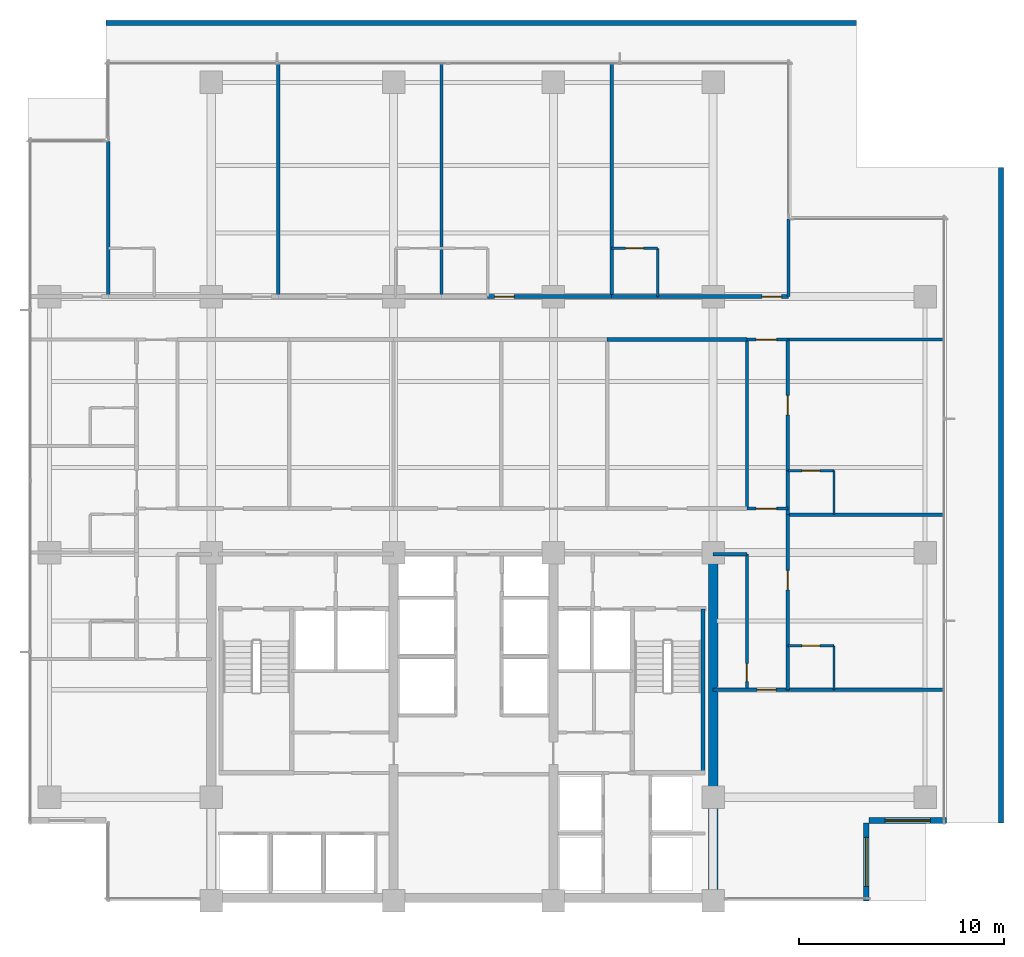
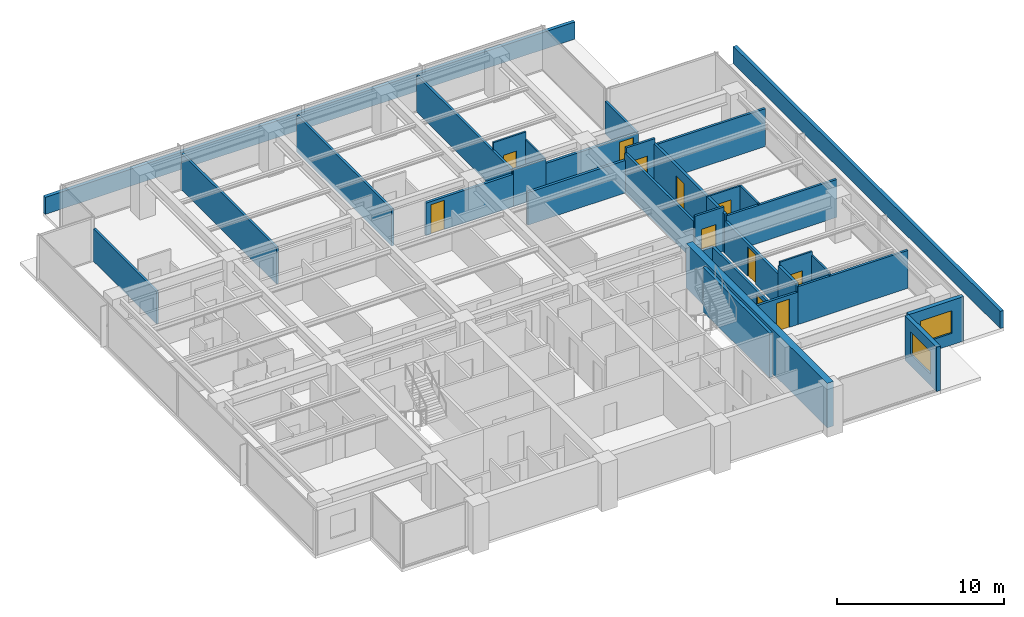
# One storey, part 10 of 16: 34 walls, 11 doors, 2 windows, 13 openings.
"""IFC4 building model written with IfcOpenShell, lengths in metres."""

import ifcopenshell
import ifcopenshell.guid

model = None  # the IFC model being written
_history = None  # IfcOwnerHistory: only IFC2X3 demands one
_inside = {}  # id of a spatial element -> (the spatial element, [elements in it])
_under = {}  # id of a project, library or spatial element -> (it, [spatial elements below it])
_declared = {}  # id of a project -> (the project, [libraries it declares])
_typed = {}  # id of a type object -> (the type object, [elements of that type])
_made_of = {}  # id of a material, layer set ... -> (it, [elements and type objects made of it])


def new_model(schema):
    """Start an empty IFC model of exactly this schema.

    Asked for "IFC4X3", IfcOpenShell would pick the latest addendum, in which some entities
    have other attributes; the version numbers below select the first issue.
    IFC2X3 requires an IfcOwnerHistory on every rooted entity: one is made here for all.
    """
    global model, _history
    if schema == "IFC4X3":
        model = ifcopenshell.file(schema_version=(4, 3, 0, 0))
    else:
        model = ifcopenshell.file(schema=schema)
    _inside.clear()
    _under.clear()
    _declared.clear()
    _typed.clear()
    _made_of.clear()
    _history = None
    if model.schema == "IFC2X3":
        org = make("IfcOrganization", Name="unknown")
        user = make(
            "IfcPersonAndOrganization",
            ThePerson=make("IfcPerson", FamilyName="unknown"),
            TheOrganization=org,
        )
        app = make(
            "IfcApplication",
            ApplicationDeveloper=org,
            Version="unknown",
            ApplicationFullName="unknown",
            ApplicationIdentifier="unknown",
        )
        _history = make(
            "IfcOwnerHistory",
            OwningUser=user,
            OwningApplication=app,
            ChangeAction="ADDED",
            CreationDate=0,
        )
    return model


def make(cls, **values):
    """One entity of the class cls with the attributes given. An attribute that is None is left unset."""
    return model.create_entity(
        cls, **{name: value for name, value in values.items() if value is not None}
    )


def rooted(cls, **values):
    """An entity with a GlobalId (a new one), such as an element, a storey or a relation."""
    return make(cls, GlobalId=ifcopenshell.guid.new(), OwnerHistory=_history, **values)


def si_unit(unit_type, name, prefix=None):
    """IfcSIUnit, for example si_unit("LENGTHUNIT", "METRE", prefix="MILLI")."""
    return make("IfcSIUnit", UnitType=unit_type, Prefix=prefix, Name=name)


def assignment(units):
    """IfcUnitAssignment: the units of a project."""
    return None if units is None else make("IfcUnitAssignment", Units=units)


def point(xyz):
    """IfcCartesianPoint."""
    return None if xyz is None else make("IfcCartesianPoint", Coordinates=xyz)


def direction(xyz):
    """IfcDirection."""
    return None if xyz is None else make("IfcDirection", DirectionRatios=xyz)


def frame(location, z_axis=None, x_axis=None):
    """IfcAxis2Placement3D, a coordinate frame: its origin and axes. An axis left out is left unset."""
    return make(
        "IfcAxis2Placement3D",
        Location=point(location),
        Axis=direction(z_axis),
        RefDirection=direction(x_axis),
    )


def frame_2d(location, x_axis=None):
    """IfcAxis2Placement2D, a coordinate frame in the plane: its origin and x axis."""
    return make(
        "IfcAxis2Placement2D", Location=point(location), RefDirection=direction(x_axis)
    )


def origin():
    """The frame at (0, 0, 0) with its axes left unset."""
    return frame((0.0, 0.0, 0.0))


def place(relative_to, where):
    """IfcLocalPlacement: puts the frame where relative to a parent placement (None: the world)."""
    return make(
        "IfcLocalPlacement", PlacementRelTo=relative_to, RelativePlacement=where
    )


def context(
    kind, dimensions, precision=None, world=None, true_north=None, identifier=None
):
    """IfcGeometricRepresentationContext, for example the 3D "Model" context."""
    return make(
        "IfcGeometricRepresentationContext",
        ContextIdentifier=identifier,
        ContextType=kind,
        CoordinateSpaceDimension=dimensions,
        Precision=precision,
        WorldCoordinateSystem=world,
        TrueNorth=true_north,
    )


def subcontext(parent, identifier, kind, view, scale=None):
    """IfcGeometricRepresentationSubContext, for example "Body" below "Model"."""
    return make(
        "IfcGeometricRepresentationSubContext",
        ContextIdentifier=identifier,
        ContextType=kind,
        ParentContext=parent,
        TargetScale=scale,
        TargetView=view,
    )


def project(units=None, contexts=None):
    """IfcProject with its units and contexts."""
    return rooted(
        "IfcProject",
        Name="project",
        RepresentationContexts=contexts,
        UnitsInContext=assignment(units),
    )


def spatial(cls, under=None, at=None, **own):
    """A site, building, storey or space (cls), placed at a placement, below another one or the project."""
    s = rooted(cls, ObjectPlacement=at, **own)
    if under is not None:
        _under.setdefault(under.id(), (under, []))[1].append(s)
    return s


def profile(cls, at=None, kind="AREA", **sizes):
    """A parametric profile (cls). Its sizes go by their IFC names, for example OverallWidth=200.0."""
    return make(cls, ProfileType=kind, Position=at, **sizes)


def rectangle(**sizes):
    """IfcRectangleProfileDef."""
    return profile("IfcRectangleProfileDef", **sizes)


def extrude(swept, where, along, depth):
    """IfcExtrudedAreaSolid: the profile swept, set in the frame where, extruded along a direction by depth."""
    return make(
        "IfcExtrudedAreaSolid",
        SweptArea=swept,
        Position=where,
        ExtrudedDirection=direction(along),
        Depth=depth,
    )


def shape(context_of_items, identifier, shape_type, items):
    """IfcShapeRepresentation: the items that make up one representation, for example the "Body"."""
    return make(
        "IfcShapeRepresentation",
        ContextOfItems=context_of_items,
        RepresentationIdentifier=identifier,
        RepresentationType=shape_type,
        Items=items,
    )


def material(Name=None, Category=None):
    """IfcMaterial."""
    return make("IfcMaterial", Name=Name, Category=Category)


def layer(
    of_material, thickness, ventilated=None, Name=None, Category=None, Priority=None
):
    """IfcMaterialLayer: one layer of a wall or slab, of a material (None: an air gap)."""
    return make(
        "IfcMaterialLayer",
        Material=of_material,
        LayerThickness=thickness,
        IsVentilated=ventilated,
        Name=Name,
        Category=Category,
        Priority=Priority,
    )


def layer_set(layers, Name=None):
    """IfcMaterialLayerSet."""
    return make("IfcMaterialLayerSet", MaterialLayers=layers, LayerSetName=Name)


def made_of(thing, what):
    """Note that an element or type object is made of a material, layer set ...; save() writes the relation."""
    if what is not None:
        _made_of.setdefault(what.id(), (what, []))[1].append(thing)
    return thing


def type_object(cls, material=None, **own):
    """A type object (cls), such as IfcWallType, which elements share."""
    return made_of(rooted(cls, **own), material)


def element(
    cls,
    number,
    at=None,
    inside=None,
    cuts=None,
    type_object=None,
    material=None,
    context=None,
    identifier="Body",
    shape_type=None,
    held_by="IfcProductDefinitionShape",
    body=None,
    shapes=None,
    **own,
):
    """One element of the class cls, such as IfcWall. Its Tag is "e" and its number.

    at: its placement. inside: the storey or other place that contains it. cuts: it is an
    opening in that element (IfcRelVoidsElement). A single representation is given by context,
    identifier, shape_type and body (its items); several are given by shapes. held_by: the class
    of the entity that holds the representations. save() writes the other relations.
    """
    e = rooted(cls, Tag="e%d" % number, ObjectPlacement=at, **own)
    if body is not None:
        shapes = [shape(context, identifier, shape_type, body)]
    if shapes is not None:
        e.Representation = make(held_by, Representations=shapes)
    if inside is not None:
        _inside.setdefault(inside.id(), (inside, []))[1].append(e)
    if cuts is not None:
        rooted(
            "IfcRelVoidsElement", RelatingBuildingElement=cuts, RelatedOpeningElement=e
        )
    if type_object is not None:
        _typed.setdefault(type_object.id(), (type_object, []))[1].append(e)
    return made_of(e, material)


def fill(opening, filler):
    """IfcRelFillsElement: the door or window that sits in an opening."""
    return rooted(
        "IfcRelFillsElement",
        RelatingOpeningElement=opening,
        RelatedBuildingElement=filler,
    )


def aggregate(whole, parts):
    """IfcRelAggregates: a whole, such as a stair, and the parts it consists of."""
    return rooted("IfcRelAggregates", RelatingObject=whole, RelatedObjects=parts)


def save(model, path):
    """Write the relations noted so far, then the file.

    IfcRelAggregates (storeys below a building ...), IfcRelContainedInSpatialStructure (elements
    in a storey), IfcRelDefinesByType, IfcRelAssociatesMaterial and IfcRelDeclares: one each for
    every whole, place, type object, material and project.
    """
    for whole, parts in _under.values():
        aggregate(whole, parts)
    for where, things in _inside.values():
        rooted(
            "IfcRelContainedInSpatialStructure",
            RelatedElements=things,
            RelatingStructure=where,
        )
    for kind, things in _typed.values():
        rooted("IfcRelDefinesByType", RelatedObjects=things, RelatingType=kind)
    for what, things in _made_of.values():
        rooted("IfcRelAssociatesMaterial", RelatedObjects=things, RelatingMaterial=what)
    for by, libraries in _declared.values():
        rooted("IfcRelDeclares", RelatingContext=by, RelatedDefinitions=libraries)
    model.write(path)


model = new_model("IFC4")

# Units and contexts
model_context = context("Model", 3, precision=1e-05, world=origin(), true_north=direction((0.0, 1.0)))
body_context = subcontext(model_context, "Body", "Model", "MODEL_VIEW")
ifc_project = project(units=[si_unit("LENGTHUNIT", "METRE"), si_unit("AREAUNIT", "SQUARE_METRE"), si_unit("VOLUMEUNIT", "CUBIC_METRE"), si_unit("PLANEANGLEUNIT", "RADIAN"), si_unit("MASSUNIT", "GRAM", prefix="KILO")], contexts=[model_context])

# Site, building, storey
site_placement = place(None, origin())
site = spatial("IfcSite", under=ifc_project, at=site_placement, CompositionType="ELEMENT")
building_placement = place(site_placement, origin())
building = spatial("IfcBuilding", under=site, at=building_placement, Name="Qalmaran Belvedere Hotel", CompositionType="ELEMENT")
storey_placement = place(building_placement, frame((0.0, 0.0, 138.60009765625)))
storey = spatial("IfcBuildingStorey", under=building, at=storey_placement, Name="L34", CompositionType="ELEMENT", Elevation=138.60009765625)

# Wall
ifc_material_1 = material(Name="Concrete C50/60", Category="concrete")
ifc_layer_1 = layer(ifc_material_1, 0.449951171875, Name="Concrete C50/60")
ifc_layer_set_1 = layer_set([ifc_layer_1], Name="Concrete C50/60")
wall_type_1 = type_object("IfcWallType", Name="WL-CORE-450-C50", PredefinedType="SHEAR", material=ifc_layer_set_1)
wall_1_placement = place(storey_placement, frame((44.800048828125, 3.5, 0.0), z_axis=(0.0, 0.0, 1.0), x_axis=(0.0, 1.0, 0.0)))
element("IfcWall", 1, at=wall_1_placement, inside=storey, type_object=wall_type_1, Name="L34 East Core Shear Wall", PredefinedType="SHEAR", context=body_context, shape_type="SweptSolid", body=[
    extrude(rectangle(XDim=16.89990234375, YDim=0.449951171875, at=frame_2d((8.449951171875, 0.0))), origin(), (0.0, 0.0, 1.0), 3.25),
])

# Wall, opening, window
ifc_material_2 = material(Name="Anodised Bronze Cladding")
ifc_layer_2 = layer(ifc_material_2, 0.280029296875, Name="Anodised Bronze Cladding")
ifc_layer_set_2 = layer_set([ifc_layer_2], Name="Anodised Bronze Cladding")
wall_type_2 = type_object("IfcWallType", Name="WL-EXT-BRNZ-280", PredefinedType="SOLIDWALL", material=ifc_layer_set_2)
wall_2_placement = place(storey_placement, frame((52.280029296875, 3.5, 0.0), z_axis=(0.0, 0.0, 1.0), x_axis=(0.0, 1.0, 0.0)))
wall_2 = element("IfcWall", 2, at=wall_2_placement, inside=storey, type_object=wall_type_2, Name="L34 Corner Notch Wall 1", PredefinedType="SOLIDWALL", context=body_context, shape_type="SweptSolid", body=[
    extrude(rectangle(XDim=3.800048828125, YDim=0.280029296875, at=frame_2d((1.89990234375, 0.0))), origin(), (0.0, 0.0, 1.0), 3.25),
])
opening_1_placement = place(wall_2_placement, frame((0.699951171875, 0.0, 0.85009765625)))
opening_1 = element("IfcOpeningElement", 3, at=opening_1_placement, cuts=wall_2, Name="Opening W-N24", PredefinedType="OPENING", context=body_context, shape_type="SweptSolid", body=[
    extrude(rectangle(XDim=2.39990234375, YDim=1.64990234375, at=frame_2d((1.199951171875, 0.824951171875))), frame((0.0, 0.14990234375, 0.0), z_axis=(0.0, -1.0, 0.0), x_axis=(1.0, 0.0, 0.0)), (0.0, 0.0, 1.0), 0.300048828125),
])
ifc_material_3 = material(Name="Solar-Control Double Glazing", Category="glass")
window_type_1 = type_object("IfcWindowType", Name="WN-NTC-2400X1650", PartitioningType="SINGLE_PANEL", PredefinedType="WINDOW", material=ifc_material_3)
window_1_placement = place(opening_1_placement, origin())
window_1 = element("IfcWindow", 4, at=window_1_placement, inside=storey, type_object=window_type_1, Name="L34 Corner Notch Window 1", OverallHeight=1.64990234375, OverallWidth=2.39990234375, PartitioningType="SINGLE_PANEL", PredefinedType="WINDOW", context=body_context, shape_type="SweptSolid", body=[
    extrude(rectangle(XDim=2.39990234375, YDim=1.64990234375, at=frame_2d((1.199951171875, 0.824951171875))), frame((0.0, 0.030029296875, 0.0), z_axis=(0.0, -1.0, 0.0), x_axis=(1.0, 0.0, 0.0)), (0.0, 0.0, 1.0), 0.06005859375),
])
fill(opening_1, window_1)

wall_3_placement = place(storey_placement, frame((52.39990234375, 7.419921875, 0.0), z_axis=(0.0, 0.0, 1.0), x_axis=(1.0, 0.0, 0.0)))
wall_3 = element("IfcWall", 5, at=wall_3_placement, inside=storey, type_object=wall_type_2, Name="L34 Corner Notch Wall 2", PredefinedType="SOLIDWALL", context=body_context, shape_type="SweptSolid", body=[
    extrude(rectangle(XDim=3.800048828125, YDim=0.280029296875, at=frame_2d((1.89990234375, 0.0))), origin(), (0.0, 0.0, 1.0), 3.25),
])
opening_2_placement = place(wall_3_placement, frame((0.800048828125, 0.0, 0.85009765625)))
opening_2 = element("IfcOpeningElement", 6, at=opening_2_placement, cuts=wall_3, Name="Opening W-N22", PredefinedType="OPENING", context=body_context, shape_type="SweptSolid", body=[
    extrude(rectangle(XDim=2.199951171875, YDim=1.64990234375, at=frame_2d((1.10009765625, 0.824951171875))), frame((0.0, 0.14990234375, 0.0), z_axis=(0.0, -1.0, 0.0), x_axis=(1.0, 0.0, 0.0)), (0.0, 0.0, 1.0), 0.300048828125),
])
window_type_2 = type_object("IfcWindowType", Name="WN-NTC-2200X1650", PartitioningType="SINGLE_PANEL", PredefinedType="WINDOW", material=ifc_material_3)
window_2_placement = place(opening_2_placement, origin())
window_2 = element("IfcWindow", 7, at=window_2_placement, inside=storey, type_object=window_type_2, Name="L34 Corner Notch Window 2", OverallHeight=1.64990234375, OverallWidth=2.199951171875, PartitioningType="SINGLE_PANEL", PredefinedType="WINDOW", context=body_context, shape_type="SweptSolid", body=[
    extrude(rectangle(XDim=2.199951171875, YDim=1.64990234375, at=frame_2d((1.10009765625, 0.824951171875))), frame((0.0, 0.030029296875, 0.0), z_axis=(0.0, -1.0, 0.0), x_axis=(1.0, 0.0, 0.0)), (0.0, 0.0, 1.0), 0.06005859375),
])
fill(opening_2, window_2)

# Wall, opening, door
ifc_material_4 = material(Name="Moisture-Resistant Gypsum")
ifc_layer_3 = layer(ifc_material_4, 0.1201171875, Name="Moisture-Resistant Gypsum")
ifc_layer_set_3 = layer_set([ifc_layer_3], Name="Moisture-Resistant Gypsum")
wall_type_3 = type_object("IfcWallType", Name="WL-INT-120-BATH", PredefinedType="PARTITIONING", material=ifc_layer_set_3)
wall_4_placement = place(storey_placement, frame((39.845458984375, 35.35009765625, 0.0), z_axis=(0.0, 0.0, 1.0), x_axis=(1.0, 0.0, 0.0)))
wall_4 = element("IfcWall", 8, at=wall_4_placement, inside=storey, type_object=wall_type_3, Name="L34 Partition WL-L34-NBN03", PredefinedType="PARTITIONING", context=body_context, shape_type="SweptSolid", body=[
    extrude(rectangle(XDim=2.25, YDim=0.1201171875, at=frame_2d((1.125, 0.0))), origin(), (0.0, 0.0, 1.0), 3.25),
])
opening_3_placement = place(wall_4_placement, frame((1.56494140625, 0.0, 0.0), z_axis=(0.0, 0.0, 1.0), x_axis=(-1.0, 0.0, 0.0)))
opening_3 = element("IfcOpeningElement", 9, at=opening_3_placement, cuts=wall_4, Name="Opening D-BATH", PredefinedType="OPENING", context=body_context, shape_type="SweptSolid", body=[
    extrude(rectangle(XDim=0.8798828125, YDim=2.080078125, at=frame_2d((0.43994140625, 1.0400390625))), frame((0.0, 0.070068359375, 0.0), z_axis=(0.0, -1.0, 0.0), x_axis=(1.0, 0.0, 0.0)), (0.0, 0.0, 1.0), 0.14013671875),
])
ifc_material_5 = material(Name="Engineered Oak Veneer")
door_type_1 = type_object("IfcDoorType", Name="DR-INT-BATH-880X2080", OperationType="NOTDEFINED", PredefinedType="DOOR", material=ifc_material_5)
door_1_placement = place(opening_3_placement, origin())
door_1 = element("IfcDoor", 10, at=door_1_placement, inside=storey, type_object=door_type_1, Name="L34 Ensuite Bathroom Door N04", OperationType="SINGLE_SWING_RIGHT", OverallHeight=2.080078125, OverallWidth=0.8798828125, PredefinedType="DOOR", context=body_context, shape_type="SweptSolid", body=[
    extrude(rectangle(XDim=0.8798828125, YDim=2.080078125, at=frame_2d((0.43994140625, 1.0400390625))), frame((0.0, 0.02490234375, 0.0), z_axis=(0.0, -1.0, 0.0), x_axis=(1.0, 0.0, 0.0)), (0.0, 0.0, 1.0), 0.050048828125),
])
fill(opening_3, door_1)

# Wall
wall_5_placement = place(storey_placement, frame((42.095458984375, 33.0, 0.0), z_axis=(0.0, 0.0, 1.0), x_axis=(0.0, 1.0, 0.0)))
element("IfcWall", 11, at=wall_5_placement, inside=storey, type_object=wall_type_3, Name="L34 Partition WL-L34-NBS03", PredefinedType="PARTITIONING", context=body_context, shape_type="SweptSolid", body=[
    extrude(rectangle(XDim=2.35009765625, YDim=0.1201171875, at=frame_2d((1.175048828125, 0.0))), origin(), (0.0, 0.0, 1.0), 2.69189453125),
])

# Wall, opening, door
wall_6_placement = place(storey_placement, frame((48.449951171875, 15.949951171875, 0.0), z_axis=(0.0, 0.0, 1.0), x_axis=(1.0, 0.0, 0.0)))
wall_6 = element("IfcWall", 12, at=wall_6_placement, inside=storey, type_object=wall_type_3, Name="L34 Partition WL-L34-EBN00", PredefinedType="PARTITIONING", context=body_context, shape_type="SweptSolid", body=[
    extrude(rectangle(XDim=2.25, YDim=0.1201171875, at=frame_2d((1.125, 0.0))), origin(), (0.0, 0.0, 1.0), 3.25),
])
opening_4_placement = place(wall_6_placement, frame((1.56494140625, 0.0, 0.0), z_axis=(0.0, 0.0, 1.0), x_axis=(-1.0, 0.0, 0.0)))
opening_4 = element("IfcOpeningElement", 13, at=opening_4_placement, cuts=wall_6, Name="Opening D-BATH", PredefinedType="OPENING", context=body_context, shape_type="SweptSolid", body=[
    extrude(rectangle(XDim=0.8798828125, YDim=2.080078125, at=frame_2d((0.43994140625, 1.0400390625))), frame((0.0, 0.070068359375, 0.0), z_axis=(0.0, -1.0, 0.0), x_axis=(1.0, 0.0, 0.0)), (0.0, 0.0, 1.0), 0.14013671875),
])
door_2_placement = place(opening_4_placement, origin())
door_2 = element("IfcDoor", 14, at=door_2_placement, inside=storey, type_object=door_type_1, Name="L34 E Ensuite Door 01", OperationType="SINGLE_SWING_RIGHT", OverallHeight=2.080078125, OverallWidth=0.8798828125, PredefinedType="DOOR", context=body_context, shape_type="SweptSolid", body=[
    extrude(rectangle(XDim=0.8798828125, YDim=2.080078125, at=frame_2d((0.43994140625, 1.0400390625))), frame((0.0, 0.02490234375, 0.0), z_axis=(0.0, -1.0, 0.0), x_axis=(1.0, 0.0, 0.0)), (0.0, 0.0, 1.0), 0.050048828125),
])
fill(opening_4, door_2)

# Wall
wall_7_placement = place(storey_placement, frame((50.699951171875, 13.800048828125, 0.0), z_axis=(0.0, 0.0, 1.0), x_axis=(0.0, 1.0, 0.0)))
element("IfcWall", 15, at=wall_7_placement, inside=storey, type_object=wall_type_3, Name="L34 Partition WL-L34-EBS00", PredefinedType="PARTITIONING", context=body_context, shape_type="SweptSolid", body=[
    extrude(rectangle(XDim=2.14990234375, YDim=0.1201171875, at=frame_2d((1.074951171875, 0.0))), origin(), (0.0, 0.0, 1.0), 2.98779296875),
])

# Wall, opening, door
wall_8_placement = place(storey_placement, frame((48.449951171875, 24.5, 0.0), z_axis=(0.0, 0.0, 1.0), x_axis=(1.0, 0.0, 0.0)))
wall_8 = element("IfcWall", 16, at=wall_8_placement, inside=storey, type_object=wall_type_3, Name="L34 Partition WL-L34-EBN01", PredefinedType="PARTITIONING", context=body_context, shape_type="SweptSolid", body=[
    extrude(rectangle(XDim=2.25, YDim=0.1201171875, at=frame_2d((1.125, 0.0))), origin(), (0.0, 0.0, 1.0), 2.880859375),
])
opening_5_placement = place(wall_8_placement, frame((1.56494140625, 0.0, 0.0), z_axis=(0.0, 0.0, 1.0), x_axis=(-1.0, 0.0, 0.0)))
opening_5 = element("IfcOpeningElement", 17, at=opening_5_placement, cuts=wall_8, Name="Opening D-BATH", PredefinedType="OPENING", context=body_context, shape_type="SweptSolid", body=[
    extrude(rectangle(XDim=0.8798828125, YDim=2.080078125, at=frame_2d((0.43994140625, 1.0400390625))), frame((0.0, 0.070068359375, 0.0), z_axis=(0.0, -1.0, 0.0), x_axis=(1.0, 0.0, 0.0)), (0.0, 0.0, 1.0), 0.14013671875),
])
door_3_placement = place(opening_5_placement, origin())
door_3 = element("IfcDoor", 18, at=door_3_placement, inside=storey, type_object=door_type_1, Name="L34 E Ensuite Door 02", OperationType="SINGLE_SWING_RIGHT", OverallHeight=2.080078125, OverallWidth=0.8798828125, PredefinedType="DOOR", context=body_context, shape_type="SweptSolid", body=[
    extrude(rectangle(XDim=0.8798828125, YDim=2.080078125, at=frame_2d((0.43994140625, 1.0400390625))), frame((0.0, 0.02490234375, 0.0), z_axis=(0.0, -1.0, 0.0), x_axis=(1.0, 0.0, 0.0)), (0.0, 0.0, 1.0), 0.050048828125),
])
fill(opening_5, door_3)

# Wall
wall_9_placement = place(storey_placement, frame((50.699951171875, 22.35009765625, 0.0), z_axis=(0.0, 0.0, 1.0), x_axis=(0.0, 1.0, 0.0)))
element("IfcWall", 19, at=wall_9_placement, inside=storey, type_object=wall_type_3, Name="L34 Partition WL-L34-EBS01", PredefinedType="PARTITIONING", context=body_context, shape_type="SweptSolid", body=[
    extrude(rectangle(XDim=2.14990234375, YDim=0.1201171875, at=frame_2d((1.074951171875, 0.0))), origin(), (0.0, 0.0, 1.0), 2.880859375),
])

# Wall, opening, door
ifc_material_6 = material(Name="Gypsum Stud Partition")
ifc_layer_4 = layer(ifc_material_6, 0.14990234375, Name="Gypsum Stud Partition")
ifc_layer_set_4 = layer_set([ifc_layer_4], Name="Gypsum Stud Partition")
wall_type_4 = type_object("IfcWallType", Name="WL-INT-150-EI60", PredefinedType="PARTITIONING", material=ifc_layer_set_4)
wall_10_placement = place(storey_placement, frame((46.449951171875, 22.64990234375, 0.0), z_axis=(0.0, 0.0, 1.0), x_axis=(1.0, 0.0, 0.0)))
wall_10 = element("IfcWall", 20, at=wall_10_placement, inside=storey, type_object=wall_type_4, Name="L34 Partition WL-L34-XCE1", PredefinedType="PARTITIONING", context=body_context, shape_type="SweptSolid", body=[
    extrude(rectangle(XDim=2.0, YDim=0.14990234375, at=frame_2d((1.0, 0.0))), origin(), (0.0, 0.0, 1.0), 3.25),
])
opening_6_placement = place(wall_10_placement, frame((0.449951171875, 0.0, 0.0)))
opening_6 = element("IfcOpeningElement", 21, at=opening_6_placement, cuts=wall_10, Name="Opening FD90B", PredefinedType="OPENING", context=body_context, shape_type="SweptSolid", body=[
    extrude(rectangle(XDim=1.0, YDim=2.14990234375, at=frame_2d((0.5, 1.074951171875))), frame((0.0, 0.0849609375, 0.0), z_axis=(0.0, -1.0, 0.0), x_axis=(1.0, 0.0, 0.0)), (0.0, 0.0, 1.0), 0.169921875),
])
ifc_material_7 = material(Name="Steel S355JR", Category="steel")
door_type_2 = type_object("IfcDoorType", Name="DR-FD90B-1000X2150", OperationType="NOTDEFINED", PredefinedType="DOOR", material=ifc_material_7)
door_4_placement = place(opening_6_placement, origin())
door_4 = element("IfcDoor", 22, at=door_4_placement, inside=storey, type_object=door_type_2, Name="L34 East Corridor Smoke Door S", OperationType="SINGLE_SWING_LEFT", OverallHeight=2.14990234375, OverallWidth=1.0, PredefinedType="DOOR", context=body_context, shape_type="SweptSolid", body=[
    extrude(rectangle(XDim=1.0, YDim=2.14990234375, at=frame_2d((0.5, 1.074951171875))), frame((0.0, 0.02490234375, 0.0), z_axis=(0.0, -1.0, 0.0), x_axis=(1.0, 0.0, 0.0)), (0.0, 0.0, 1.0), 0.050048828125),
])
fill(opening_6, door_4)

wall_11_placement = place(storey_placement, frame((46.449951171875, 30.89990234375, 0.0), z_axis=(0.0, 0.0, 1.0), x_axis=(1.0, 0.0, 0.0)))
wall_11 = element("IfcWall", 23, at=wall_11_placement, inside=storey, type_object=wall_type_4, Name="L34 Partition WL-L34-XCE2", PredefinedType="PARTITIONING", context=body_context, shape_type="SweptSolid", body=[
    extrude(rectangle(XDim=2.0, YDim=0.14990234375, at=frame_2d((1.0, 0.0))), origin(), (0.0, 0.0, 1.0), 3.25),
])
opening_7_placement = place(wall_11_placement, frame((0.449951171875, 0.0, 0.0)))
opening_7 = element("IfcOpeningElement", 24, at=opening_7_placement, cuts=wall_11, Name="Opening FD90B", PredefinedType="OPENING", context=body_context, shape_type="SweptSolid", body=[
    extrude(rectangle(XDim=1.0, YDim=2.14990234375, at=frame_2d((0.5, 1.074951171875))), frame((0.0, 0.0849609375, 0.0), z_axis=(0.0, -1.0, 0.0), x_axis=(1.0, 0.0, 0.0)), (0.0, 0.0, 1.0), 0.169921875),
])
door_5_placement = place(opening_7_placement, origin())
door_5 = element("IfcDoor", 25, at=door_5_placement, inside=storey, type_object=door_type_2, Name="L34 East Corridor Smoke Door N", OperationType="SINGLE_SWING_RIGHT", OverallHeight=2.14990234375, OverallWidth=1.0, PredefinedType="DOOR", context=body_context, shape_type="SweptSolid", body=[
    extrude(rectangle(XDim=1.0, YDim=2.14990234375, at=frame_2d((0.5, 1.074951171875))), frame((0.0, 0.02490234375, 0.0), z_axis=(0.0, -1.0, 0.0), x_axis=(1.0, 0.0, 0.0)), (0.0, 0.0, 1.0), 0.050048828125),
])
fill(opening_7, door_5)

ifc_layer_5 = layer(ifc_material_6, 0.159912109375, Name="Gypsum Stud Partition")
ifc_layer_set_5 = layer_set([ifc_layer_5], Name="Gypsum Stud Partition")
wall_type_5 = type_object("IfcWallType", Name="WL-INT-160-EI60", PredefinedType="PARTITIONING", material=ifc_layer_set_5)
wall_12_placement = place(storey_placement, frame((44.800048828125, 13.800048828125, 0.0), z_axis=(0.0, 0.0, 1.0), x_axis=(1.0, 0.0, 0.0)))
wall_12 = element("IfcWall", 26, at=wall_12_placement, inside=storey, type_object=wall_type_5, Name="L34 Partition WL-L34-SERL", PredefinedType="PARTITIONING", context=body_context, shape_type="SweptSolid", body=[
    extrude(rectangle(XDim=3.64990234375, YDim=0.159912109375, at=frame_2d((1.824951171875, 0.0))), origin(), (0.0, 0.0, 1.0), 2.3798828125),
])
opening_8_placement = place(wall_12_placement, frame((3.06982421875, 0.0, 0.0), z_axis=(0.0, 0.0, 1.0), x_axis=(-1.0, 0.0, 0.0)))
opening_8 = element("IfcOpeningElement", 27, at=opening_8_placement, cuts=wall_12, Name="Opening FD60S1", PredefinedType="OPENING", context=body_context, shape_type="SweptSolid", body=[
    extrude(rectangle(XDim=0.919921875, YDim=2.080078125, at=frame_2d((0.4599609375, 1.0400390625))), frame((0.0, 0.08984375, 0.0), z_axis=(0.0, -1.0, 0.0), x_axis=(1.0, 0.0, 0.0)), (0.0, 0.0, 1.0), 0.179931640625),
])
door_type_3 = type_object("IfcDoorType", Name="DR-FD60S-920X2080", OperationType="NOTDEFINED", PredefinedType="DOOR", material=ifc_material_5)
door_6_placement = place(opening_8_placement, origin())
door_6 = element("IfcDoor", 28, at=door_6_placement, inside=storey, type_object=door_type_3, Name="L34 SE Lounge Door", OperationType="SINGLE_SWING_RIGHT", OverallHeight=2.080078125, OverallWidth=0.919921875, PredefinedType="DOOR", context=body_context, shape_type="SweptSolid", body=[
    extrude(rectangle(XDim=0.919921875, YDim=2.080078125, at=frame_2d((0.4599609375, 1.0400390625))), frame((0.0, 0.02490234375, 0.0), z_axis=(0.0, -1.0, 0.0), x_axis=(1.0, 0.0, 0.0)), (0.0, 0.0, 1.0), 0.050048828125),
])
fill(opening_8, door_6)

wall_13_placement = place(storey_placement, frame((46.449951171875, 13.800048828125, 0.0), z_axis=(0.0, 0.0, 1.0), x_axis=(0.0, 1.0, 0.0)))
wall_13 = element("IfcWall", 29, at=wall_13_placement, inside=storey, type_object=wall_type_5, Name="L34 Partition WL-L34-ECL", PredefinedType="PARTITIONING", context=body_context, shape_type="SweptSolid", body=[
    extrude(rectangle(XDim=6.619873046875, YDim=0.159912109375, at=frame_2d((3.31005859375, 0.0))), origin(), (0.0, 0.0, 1.0), 2.3798828125),
])
opening_9_placement = place(wall_13_placement, frame((0.39990234375, 0.0, 0.0)))
opening_9 = element("IfcOpeningElement", 30, at=opening_9_placement, cuts=wall_13, Name="Opening FD60B", PredefinedType="OPENING", context=body_context, shape_type="SweptSolid", body=[
    extrude(rectangle(XDim=0.8798828125, YDim=2.080078125, at=frame_2d((0.43994140625, 1.0400390625))), frame((0.0, 0.08984375, 0.0), z_axis=(0.0, -1.0, 0.0), x_axis=(1.0, 0.0, 0.0)), (0.0, 0.0, 1.0), 0.179931640625),
])
door_type_4 = type_object("IfcDoorType", Name="DR-FD60B-880X2080", OperationType="NOTDEFINED", PredefinedType="DOOR", material=ifc_material_7)
door_7_placement = place(opening_9_placement, origin())
door_7 = element("IfcDoor", 31, at=door_7_placement, inside=storey, type_object=door_type_4, Name="L34 East Closet Door", OperationType="SINGLE_SWING_RIGHT", OverallHeight=2.080078125, OverallWidth=0.8798828125, PredefinedType="DOOR", context=body_context, shape_type="SweptSolid", body=[
    extrude(rectangle(XDim=0.8798828125, YDim=2.080078125, at=frame_2d((0.43994140625, 1.0400390625))), frame((0.0, 0.02490234375, 0.0), z_axis=(0.0, -1.0, 0.0), x_axis=(1.0, 0.0, 0.0)), (0.0, 0.0, 1.0), 0.050048828125),
])
fill(opening_9, door_7)

# Walls
wall_14_placement = place(storey_placement, frame((44.800048828125, 20.419921875, 0.0), z_axis=(0.0, 0.0, 1.0), x_axis=(1.0, 0.0, 0.0)))
element("IfcWall", 32, at=wall_14_placement, inside=storey, type_object=wall_type_5, Name="L34 Partition WL-L34-ECLN", PredefinedType="PARTITIONING", context=body_context, shape_type="SweptSolid", body=[
    extrude(rectangle(XDim=1.64990234375, YDim=0.159912109375, at=frame_2d((0.824951171875, 0.0))), origin(), (0.0, 0.0, 1.0), 2.3798828125),
])
wall_15_placement = place(storey_placement, frame((46.449951171875, 22.64990234375, 0.0), z_axis=(0.0, 0.0, 1.0), x_axis=(0.0, 1.0, 0.0)))
element("IfcWall", 33, at=wall_15_placement, inside=storey, type_object=wall_type_5, Name="L34 Partition WL-L34-MIDVR5", PredefinedType="PARTITIONING", context=body_context, shape_type="SweptSolid", body=[
    extrude(rectangle(XDim=8.25, YDim=0.159912109375, at=frame_2d((4.125, 0.0))), origin(), (0.0, 0.0, 1.0), 2.880859375),
])
wall_16_placement = place(storey_placement, frame((15.27001953125, 33.0, 0.0), z_axis=(0.0, 0.0, 1.0), x_axis=(0.0, 1.0, 0.0)))
element("IfcWall", 34, at=wall_16_placement, inside=storey, type_object=wall_type_5, Name="L34 Partition WL-L34-NUL", PredefinedType="PARTITIONING", context=body_context, shape_type="SweptSolid", body=[
    extrude(rectangle(XDim=7.580078125, YDim=0.159912109375, at=frame_2d((3.7900390625, 0.0))), origin(), (0.0, 0.0, 1.0), 2.3798828125),
])
for number, where, z_axis, x_axis, name in (
    (35, (23.572509765625, 33.0, 0.0), (0.0, 0.0, 1.0), (0.0, 1.0, 0.0), "L34 Partition WL-L34-NUR00"),
    (36, (31.54296875, 33.0, 0.0), (0.0, 0.0, 1.0), (0.0, 1.0, 0.0), "L34 Partition WL-L34-NUR01"),
    (37, (39.845458984375, 33.0, 0.0), (0.0, 0.0, 1.0), (0.0, 1.0, 0.0), "L34 Partition WL-L34-NUR02"),
):
    element("IfcWall", number, at=place(storey_placement, frame(where, z_axis=z_axis, x_axis=x_axis)), inside=storey, type_object=wall_type_5, Name=name, PredefinedType="PARTITIONING", context=body_context, shape_type="SweptSolid", body=[
        extrude(rectangle(XDim=11.3798828125, YDim=0.159912109375, at=frame_2d((5.68994140625, 0.0))), origin(), (0.0, 0.0, 1.0), 2.69189453125),
    ])
wall_17_placement = place(storey_placement, frame((48.47998046875, 33.0, 0.0), z_axis=(0.0, 0.0, 1.0), x_axis=(0.0, 1.0, 0.0)))
element("IfcWall", 38, at=wall_17_placement, inside=storey, type_object=wall_type_5, Name="L34 Partition WL-L34-NUR03", PredefinedType="PARTITIONING", context=body_context, shape_type="SweptSolid", body=[
    extrude(rectangle(XDim=3.780029296875, YDim=0.159912109375, at=frame_2d((1.89013671875, 0.0))), origin(), (0.0, 0.0, 1.0), 2.3798828125),
])
for number, where, z_axis, x_axis, name in (
    (39, (48.449951171875, 13.800048828125, 0.0), (0.0, 0.0, 1.0), (1.0, 0.0, 0.0), "L34 Partition WL-L34-EBOT"),
    (40, (48.449951171875, 22.35009765625, 0.0), (0.0, 0.0, 1.0), (1.0, 0.0, 0.0), "L34 Partition WL-L34-EU00"),
    (41, (48.449951171875, 30.89990234375, 0.0), (0.0, 0.0, 1.0), (1.0, 0.0, 0.0), "L34 Partition WL-L34-EU01"),
):
    element("IfcWall", number, at=place(storey_placement, frame(where, z_axis=z_axis, x_axis=x_axis)), inside=storey, type_object=wall_type_5, Name=name, PredefinedType="PARTITIONING", context=body_context, shape_type="SweptSolid", body=[
        extrude(rectangle(XDim=7.630126953125, YDim=0.159912109375, at=frame_2d((3.81494140625, 0.0))), origin(), (0.0, 0.0, 1.0), 2.77197265625),
    ])
ifc_layer_6 = layer(ifc_material_6, 0.179931640625, Name="Gypsum Stud Partition")
ifc_layer_set_6 = layer_set([ifc_layer_6], Name="Gypsum Stud Partition")
wall_type_6 = type_object("IfcWallType", Name="WL-INT-180-EI60", PredefinedType="PARTITIONING", material=ifc_layer_set_6)
wall_18_placement = place(storey_placement, frame((39.625, 30.89990234375, 0.0), z_axis=(0.0, 0.0, 1.0), x_axis=(1.0, 0.0, 0.0)))
element("IfcWall", 42, at=wall_18_placement, inside=storey, type_object=wall_type_6, Name="L34 Partition WL-L34-MIDO5", PredefinedType="PARTITIONING", context=body_context, shape_type="SweptSolid", body=[
    extrude(rectangle(XDim=6.824951171875, YDim=0.179931640625, at=frame_2d((3.41259765625, 0.0))), origin(), (0.0, 0.0, 1.0), 2.3798828125),
])

# Wall, opening, door
wall_19_placement = place(storey_placement, frame((33.79296875, 33.0, 0.0), z_axis=(0.0, 0.0, 1.0), x_axis=(1.0, 0.0, 0.0)))
wall_19 = element("IfcWall", 43, at=wall_19_placement, inside=storey, type_object=wall_type_6, Name="L34 Partition WL-L34-NEC02", PredefinedType="PARTITIONING", context=body_context, shape_type="SweptSolid", body=[
    extrude(rectangle(XDim=6.052490234375, YDim=0.179931640625, at=frame_2d((3.0263671875, 0.0))), origin(), (0.0, 0.0, 1.0), 2.3798828125),
])
opening_10_placement = place(wall_19_placement, frame((0.339599609375, 0.0, 0.0)))
opening_10 = element("IfcOpeningElement", 44, at=opening_10_placement, cuts=wall_19, Name="Opening FD60", PredefinedType="OPENING", context=body_context, shape_type="SweptSolid", body=[
    extrude(rectangle(XDim=0.949951171875, YDim=2.14990234375, at=frame_2d((0.47509765625, 1.074951171875))), frame((0.0, 0.10009765625, 0.0), z_axis=(0.0, -1.0, 0.0), x_axis=(1.0, 0.0, 0.0)), (0.0, 0.0, 1.0), 0.199951171875),
])
door_type_5 = type_object("IfcDoorType", Name="DR-FD60-950X2150", OperationType="NOTDEFINED", PredefinedType="DOOR", material=ifc_material_5)
door_8_placement = place(opening_10_placement, origin())
door_8 = element("IfcDoor", 45, at=door_8_placement, inside=storey, type_object=door_type_5, Name="L34 Guest Entrance Door N03", OperationType="SINGLE_SWING_LEFT", OverallHeight=2.14990234375, OverallWidth=0.949951171875, PredefinedType="DOOR", context=body_context, shape_type="SweptSolid", body=[
    extrude(rectangle(XDim=0.949951171875, YDim=2.14990234375, at=frame_2d((0.47509765625, 1.074951171875))), frame((0.0, 0.02490234375, 0.0), z_axis=(0.0, -1.0, 0.0), x_axis=(1.0, 0.0, 0.0)), (0.0, 0.0, 1.0), 0.050048828125),
])
fill(opening_10, door_8)

# Wall
wall_20_placement = place(storey_placement, frame((39.845458984375, 33.0, 0.0), z_axis=(0.0, 0.0, 1.0), x_axis=(1.0, 0.0, 0.0)))
element("IfcWall", 46, at=wall_20_placement, inside=storey, type_object=wall_type_6, Name="L34 Partition WL-L34-NBC03", PredefinedType="PARTITIONING", context=body_context, shape_type="SweptSolid", body=[
    extrude(rectangle(XDim=2.25, YDim=0.179931640625, at=frame_2d((1.125, 0.0))), origin(), (0.0, 0.0, 1.0), 2.69189453125),
])

# Wall, opening, door
wall_21_placement = place(storey_placement, frame((42.095458984375, 33.0, 0.0), z_axis=(0.0, 0.0, 1.0), x_axis=(1.0, 0.0, 0.0)))
wall_21 = element("IfcWall", 47, at=wall_21_placement, inside=storey, type_object=wall_type_6, Name="L34 Partition WL-L34-NEC03", PredefinedType="PARTITIONING", context=body_context, shape_type="SweptSolid", body=[
    extrude(rectangle(XDim=6.384521484375, YDim=0.179931640625, at=frame_2d((3.1923828125, 0.0))), origin(), (0.0, 0.0, 1.0), 2.3798828125),
])
opening_11_placement = place(wall_21_placement, frame((5.095703125, 0.0, 0.0)))
opening_11 = element("IfcOpeningElement", 48, at=opening_11_placement, cuts=wall_21, Name="Opening FD60", PredefinedType="OPENING", context=body_context, shape_type="SweptSolid", body=[
    extrude(rectangle(XDim=0.949951171875, YDim=2.14990234375, at=frame_2d((0.47509765625, 1.074951171875))), frame((0.0, 0.10009765625, 0.0), z_axis=(0.0, -1.0, 0.0), x_axis=(1.0, 0.0, 0.0)), (0.0, 0.0, 1.0), 0.199951171875),
])
door_9_placement = place(opening_11_placement, origin())
door_9 = element("IfcDoor", 49, at=door_9_placement, inside=storey, type_object=door_type_5, Name="L34 Guest Entrance Door N04", OperationType="SINGLE_SWING_LEFT", OverallHeight=2.14990234375, OverallWidth=0.949951171875, PredefinedType="DOOR", context=body_context, shape_type="SweptSolid", body=[
    extrude(rectangle(XDim=0.949951171875, YDim=2.14990234375, at=frame_2d((0.47509765625, 1.074951171875))), frame((0.0, 0.02490234375, 0.0), z_axis=(0.0, -1.0, 0.0), x_axis=(1.0, 0.0, 0.0)), (0.0, 0.0, 1.0), 0.050048828125),
])
fill(opening_11, door_9)

# Wall
wall_22_placement = place(storey_placement, frame((48.449951171875, 13.800048828125, 0.0), z_axis=(0.0, 0.0, 1.0), x_axis=(0.0, 1.0, 0.0)))
element("IfcWall", 50, at=wall_22_placement, inside=storey, type_object=wall_type_6, Name="L34 Partition WL-L34-EBC00", PredefinedType="PARTITIONING", context=body_context, shape_type="SweptSolid", body=[
    extrude(rectangle(XDim=2.14990234375, YDim=0.179931640625, at=frame_2d((1.074951171875, 0.0))), origin(), (0.0, 0.0, 1.0), 2.98779296875),
])

# Wall, opening, door
wall_23_placement = place(storey_placement, frame((48.449951171875, 15.949951171875, 0.0), z_axis=(0.0, 0.0, 1.0), x_axis=(0.0, 1.0, 0.0)))
wall_23 = element("IfcWall", 51, at=wall_23_placement, inside=storey, type_object=wall_type_6, Name="L34 Partition WL-L34-EEC00", PredefinedType="PARTITIONING", context=body_context, shape_type="SweptSolid", body=[
    extrude(rectangle(XDim=6.400146484375, YDim=0.179931640625, at=frame_2d((3.2001953125, 0.0))), origin(), (0.0, 0.0, 1.0), 2.3798828125),
])
opening_12_placement = place(wall_23_placement, frame((3.675048828125, 0.0, 0.0), z_axis=(0.0, 0.0, 1.0), x_axis=(-1.0, 0.0, 0.0)))
opening_12 = element("IfcOpeningElement", 52, at=opening_12_placement, cuts=wall_23, Name="Opening FD60", PredefinedType="OPENING", context=body_context, shape_type="SweptSolid", body=[
    extrude(rectangle(XDim=0.949951171875, YDim=2.14990234375, at=frame_2d((0.47509765625, 1.074951171875))), frame((0.0, 0.10009765625, 0.0), z_axis=(0.0, -1.0, 0.0), x_axis=(1.0, 0.0, 0.0)), (0.0, 0.0, 1.0), 0.199951171875),
])
door_10_placement = place(opening_12_placement, origin())
door_10 = element("IfcDoor", 53, at=door_10_placement, inside=storey, type_object=door_type_5, Name="L34 E Wing Door 01", OperationType="SINGLE_SWING_LEFT", OverallHeight=2.14990234375, OverallWidth=0.949951171875, PredefinedType="DOOR", context=body_context, shape_type="SweptSolid", body=[
    extrude(rectangle(XDim=0.949951171875, YDim=2.14990234375, at=frame_2d((0.47509765625, 1.074951171875))), frame((0.0, 0.02490234375, 0.0), z_axis=(0.0, -1.0, 0.0), x_axis=(1.0, 0.0, 0.0)), (0.0, 0.0, 1.0), 0.050048828125),
])
fill(opening_12, door_10)

# Wall
wall_24_placement = place(storey_placement, frame((48.449951171875, 22.35009765625, 0.0), z_axis=(0.0, 0.0, 1.0), x_axis=(0.0, 1.0, 0.0)))
element("IfcWall", 54, at=wall_24_placement, inside=storey, type_object=wall_type_6, Name="L34 Partition WL-L34-EBC01", PredefinedType="PARTITIONING", context=body_context, shape_type="SweptSolid", body=[
    extrude(rectangle(XDim=2.14990234375, YDim=0.179931640625, at=frame_2d((1.074951171875, 0.0))), origin(), (0.0, 0.0, 1.0), 2.880859375),
])

# Wall, opening, door
wall_25_placement = place(storey_placement, frame((48.449951171875, 24.5, 0.0), z_axis=(0.0, 0.0, 1.0), x_axis=(0.0, 1.0, 0.0)))
wall_25 = element("IfcWall", 55, at=wall_25_placement, inside=storey, type_object=wall_type_6, Name="L34 Partition WL-L34-EEC01", PredefinedType="PARTITIONING", context=body_context, shape_type="SweptSolid", body=[
    extrude(rectangle(XDim=6.39990234375, YDim=0.179931640625, at=frame_2d((3.199951171875, 0.0))), origin(), (0.0, 0.0, 1.0), 2.880859375),
])
opening_13_placement = place(wall_25_placement, frame((3.675048828125, 0.0, 0.0), z_axis=(0.0, 0.0, 1.0), x_axis=(-1.0, 0.0, 0.0)))
opening_13 = element("IfcOpeningElement", 56, at=opening_13_placement, cuts=wall_25, Name="Opening FD60", PredefinedType="OPENING", context=body_context, shape_type="SweptSolid", body=[
    extrude(rectangle(XDim=0.949951171875, YDim=2.14990234375, at=frame_2d((0.47509765625, 1.074951171875))), frame((0.0, 0.10009765625, 0.0), z_axis=(0.0, -1.0, 0.0), x_axis=(1.0, 0.0, 0.0)), (0.0, 0.0, 1.0), 0.199951171875),
])
door_11_placement = place(opening_13_placement, origin())
door_11 = element("IfcDoor", 57, at=door_11_placement, inside=storey, type_object=door_type_5, Name="L34 E Wing Door 02", OperationType="SINGLE_SWING_LEFT", OverallHeight=2.14990234375, OverallWidth=0.949951171875, PredefinedType="DOOR", context=body_context, shape_type="SweptSolid", body=[
    extrude(rectangle(XDim=0.949951171875, YDim=2.14990234375, at=frame_2d((0.47509765625, 1.074951171875))), frame((0.0, 0.02490234375, 0.0), z_axis=(0.0, -1.0, 0.0), x_axis=(1.0, 0.0, 0.0)), (0.0, 0.0, 1.0), 0.050048828125),
])
fill(opening_13, door_11)

# Walls
ifc_material_8 = material(Name="Concrete C40/50", Category="concrete")
ifc_layer_7 = layer(ifc_material_8, 0.239990234375, Name="Concrete C40/50")
ifc_layer_set_7 = layer_set([ifc_layer_7], Name="Concrete C40/50")
wall_type_7 = type_object("IfcWallType", Name="WL-PARAPET-240", PredefinedType="PARAPET", material=ifc_layer_set_7)
wall_26_placement = place(storey_placement, frame((58.860107421875, 7.300048828125, 0.0), z_axis=(0.0, 0.0, 1.0), x_axis=(0.0, 1.0, 0.0)))
element("IfcWall", 58, at=wall_26_placement, inside=storey, type_object=wall_type_7, Name="L34 Roof Parapet 4", PredefinedType="PARAPET", context=body_context, shape_type="SweptSolid", body=[
    extrude(rectangle(XDim=32.0, YDim=0.239990234375, at=frame_2d((16.0, 0.0))), origin(), (0.0, 0.0, 1.0), 1.25),
])
wall_27_placement = place(storey_placement, frame((51.800048828125, 46.360107421875, 0.0), z_axis=(0.0, 0.0, 1.0), x_axis=(-1.0, 0.0, 0.0)))
element("IfcWall", 59, at=wall_27_placement, inside=storey, type_object=wall_type_7, Name="L34 Roof Parapet 7", PredefinedType="PARAPET", context=body_context, shape_type="SweptSolid", body=[
    extrude(rectangle(XDim=36.650146484375, YDim=0.239990234375, at=frame_2d((18.3251953125, 0.0))), origin(), (0.0, 0.0, 1.0), 1.25),
])
ifc_layer_8 = layer(ifc_material_1, 0.2099609375, Name="Concrete C50/60")
ifc_layer_set_8 = layer_set([ifc_layer_8], Name="Concrete C50/60")
wall_type_8 = type_object("IfcWallType", Name="WL-STAIR-210-C50", PredefinedType="SHEAR", material=ifc_layer_set_8)
wall_28_placement = place(storey_placement, frame((44.304931640625, 9.7451171875, 0.0), z_axis=(0.0, 0.0, 1.0), x_axis=(0.0, 1.0, 0.0)))
element("IfcWall", 60, at=wall_28_placement, inside=storey, type_object=wall_type_8, Name="L34 Stair ST-2 East Bearing Wall", PredefinedType="SHEAR", context=body_context, shape_type="SweptSolid", body=[
    extrude(rectangle(XDim=8.009765625, YDim=0.2099609375, at=frame_2d((4.0048828125, 0.0))), origin(), (0.0, 0.0, 1.0), 3.25),
])

save(model, "model.ifc")
